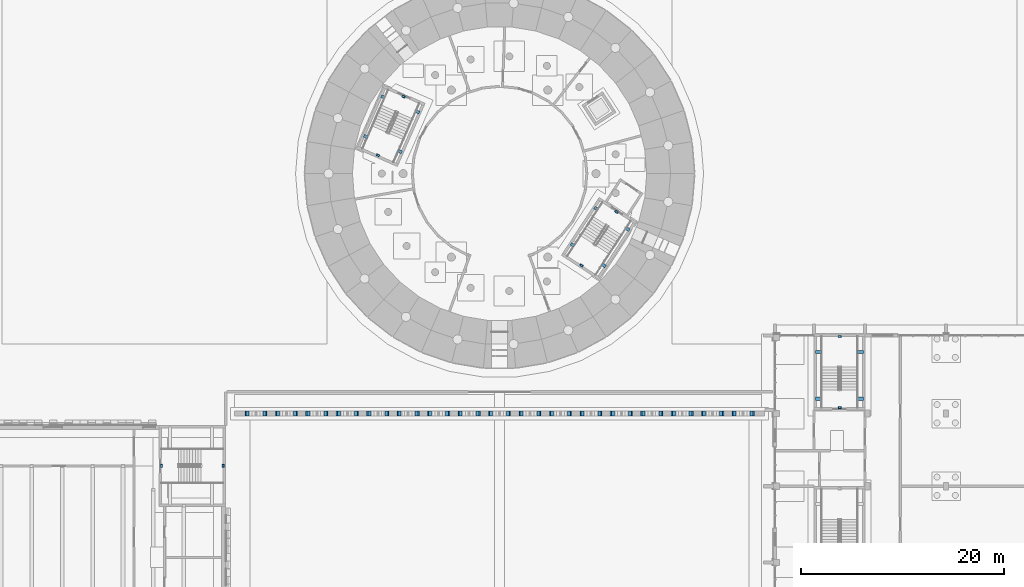
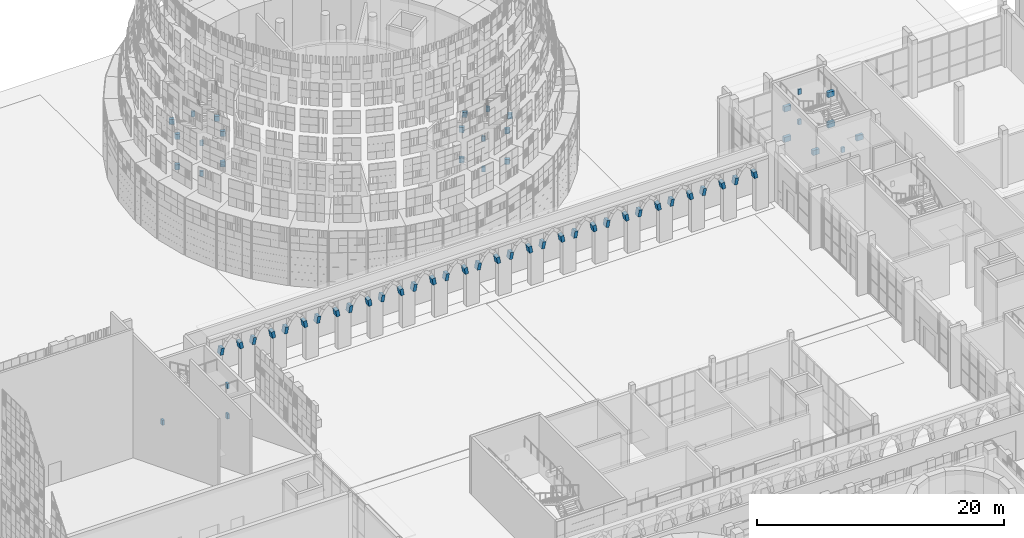
# One storey, part 39 of 125: 34 members, 30 beams.
"""IFC4 building model written with IfcOpenShell, lengths in metres."""

from ifc_helpers import new_model, si_unit, direction, frame, origin, origin_2d, place, context, subcontext, project, spatial, rectangle, extrude, material, material_profile, profile_set, type_object, element, save


model = new_model("IFC4")

# Units and contexts
model_context = context("Model", 3, precision=1e-05, world=origin(), true_north=direction((0.0, 1.0)))
body_context = subcontext(model_context, "Body", "Model", "MODEL_VIEW")
ifc_project = project(units=[si_unit("LENGTHUNIT", "METRE"), si_unit("AREAUNIT", "SQUARE_METRE"), si_unit("VOLUMEUNIT", "CUBIC_METRE"), si_unit("PLANEANGLEUNIT", "RADIAN"), si_unit("MASSUNIT", "GRAM", prefix="KILO")], contexts=[model_context])

# Site, building, storey
site_placement = place(None, origin())
site = spatial("IfcSite", under=ifc_project, at=site_placement, CompositionType="ELEMENT")
building_placement = place(site_placement, origin())
building = spatial("IfcBuilding", under=site, at=building_placement, Name="Sun Court Science Centre", CompositionType="ELEMENT")
storey_placement = place(building_placement, origin())
storey = spatial("IfcBuildingStorey", under=building, at=storey_placement, Name="L00", CompositionType="ELEMENT", Elevation=0.0)

# Members
ifc_material_1 = material(Name="Concrete C30/37", Category="concrete")
ifc_material_profile_1 = material_profile(ifc_material_1, rectangle(XDim=0.5, YDim=0.300048828125, at=origin_2d()), Name="RC 500x300")
ifc_profile_set_1 = profile_set([ifc_material_profile_1], Name="Concrete C30/37")
member_type = type_object("IfcMemberType", Name="Arcade arch rib RC 500x300", PredefinedType="MEMBER", material=ifc_profile_set_1)
for number, where, z_axis, x_axis, name in (
    (1, (26.050048828125, 73.14990234375, 3.22998046875), (0.173510961296, 0.0, 0.984831938104), (0.0, 1.0, 0.0), "Arcade arch rib AR2 bay 01"),
    (2, (27.949951171875, 73.14990234375, 3.22998046875), (-0.173510961296, 0.0, 0.984831938104), (0.0, -1.0, 0.0), "Arcade arch rib AR2 bay 01"),
    (3, (29.050048828125, 73.14990234375, 3.22998046875), (0.173510961296, 0.0, 0.984831938104), (0.0, 1.0, 0.0), "Arcade arch rib AR2 bay 02"),
    (4, (30.949951171875, 73.14990234375, 3.22998046875), (-0.173510961296, 0.0, 0.984831938104), (0.0, -1.0, 0.0), "Arcade arch rib AR2 bay 02"),
    (5, (32.050048828125, 73.14990234375, 3.22998046875), (0.173510961296, 0.0, 0.984831938104), (0.0, 1.0, 0.0), "Arcade arch rib AR2 bay 03"),
    (6, (33.949951171875, 73.14990234375, 3.22998046875), (-0.173510961296, 0.0, 0.984831938104), (0.0, -1.0, 0.0), "Arcade arch rib AR2 bay 03"),
    (7, (35.050048828125, 73.14990234375, 3.22998046875), (0.173510961296, 0.0, 0.984831938104), (0.0, 1.0, 0.0), "Arcade arch rib AR2 bay 04"),
    (8, (36.949951171875, 73.14990234375, 3.22998046875), (-0.173510961296, 0.0, 0.984831938104), (0.0, -1.0, 0.0), "Arcade arch rib AR2 bay 04"),
    (9, (38.050048828125, 73.14990234375, 3.22998046875), (0.173510961296, 0.0, 0.984831938104), (0.0, 1.0, 0.0), "Arcade arch rib AR2 bay 05"),
    (10, (39.949951171875, 73.14990234375, 3.22998046875), (-0.173510961296, 0.0, 0.984831938104), (0.0, -1.0, 0.0), "Arcade arch rib AR2 bay 05"),
    (11, (41.050048828125, 73.14990234375, 3.22998046875), (0.173510961296, 0.0, 0.984831938104), (0.0, 1.0, 0.0), "Arcade arch rib AR2 bay 06"),
    (12, (42.949951171875, 73.14990234375, 3.22998046875), (-0.173510961296, 0.0, 0.984831938104), (0.0, -1.0, 0.0), "Arcade arch rib AR2 bay 06"),
    (13, (44.050048828125, 73.14990234375, 3.22998046875), (0.173510961296, 0.0, 0.984831938104), (0.0, 1.0, 0.0), "Arcade arch rib AR2 bay 07"),
    (14, (45.949951171875, 73.14990234375, 3.22998046875), (-0.173510961296, 0.0, 0.984831938104), (0.0, -1.0, 0.0), "Arcade arch rib AR2 bay 07"),
    (15, (47.050048828125, 73.14990234375, 3.22998046875), (0.173510961296, 0.0, 0.984831938104), (0.0, 1.0, 0.0), "Arcade arch rib AR2 bay 08"),
    (16, (48.949951171875, 73.14990234375, 3.22998046875), (-0.173510961296, 0.0, 0.984831938104), (0.0, -1.0, 0.0), "Arcade arch rib AR2 bay 08"),
    (17, (50.050048828125, 73.14990234375, 3.22998046875), (0.173510961296, 0.0, 0.984831938104), (0.0, 1.0, 0.0), "Arcade arch rib AR2 bay 09"),
    (18, (51.949951171875, 73.14990234375, 3.22998046875), (-0.173510961296, 0.0, 0.984831938104), (0.0, -1.0, 0.0), "Arcade arch rib AR2 bay 09"),
    (19, (53.050048828125, 73.14990234375, 3.22998046875), (0.173510961296, 0.0, 0.984831938104), (0.0, 1.0, 0.0), "Arcade arch rib AR2 bay 10"),
    (20, (54.949951171875, 73.14990234375, 3.22998046875), (-0.173510961296, 0.0, 0.984831938104), (0.0, -1.0, 0.0), "Arcade arch rib AR2 bay 10"),
    (21, (56.050048828125, 73.14990234375, 3.22998046875), (0.173510961296, 0.0, 0.984831938104), (0.0, 1.0, 0.0), "Arcade arch rib AR2 bay 11"),
    (22, (57.949951171875, 73.14990234375, 3.22998046875), (-0.173510961296, 0.0, 0.984831938104), (0.0, -1.0, 0.0), "Arcade arch rib AR2 bay 11"),
    (23, (59.050048828125, 73.14990234375, 3.22998046875), (0.173510961296, 0.0, 0.984831938104), (0.0, 1.0, 0.0), "Arcade arch rib AR2 bay 12"),
    (24, (60.949951171875, 73.14990234375, 3.22998046875), (-0.173510961296, 0.0, 0.984831938104), (0.0, -1.0, 0.0), "Arcade arch rib AR2 bay 12"),
    (25, (62.050048828125, 73.14990234375, 3.22998046875), (0.173510961296, 0.0, 0.984831938104), (0.0, 1.0, 0.0), "Arcade arch rib AR2 bay 13"),
    (26, (63.949951171875, 73.14990234375, 3.22998046875), (-0.173510961296, 0.0, 0.984831938104), (0.0, -1.0, 0.0), "Arcade arch rib AR2 bay 13"),
    (27, (65.050048828125, 73.14990234375, 3.22998046875), (0.173510961296, 0.0, 0.984831938104), (0.0, 1.0, 0.0), "Arcade arch rib AR2 bay 14"),
    (28, (66.949951171875, 73.14990234375, 3.22998046875), (-0.173510961296, 0.0, 0.984831938104), (0.0, -1.0, 0.0), "Arcade arch rib AR2 bay 14"),
    (29, (68.050048828125, 73.14990234375, 3.22998046875), (0.173510961296, 0.0, 0.984831938104), (0.0, 1.0, 0.0), "Arcade arch rib AR2 bay 15"),
    (30, (69.949951171875, 73.14990234375, 3.22998046875), (-0.173510961296, 0.0, 0.984831938104), (0.0, -1.0, 0.0), "Arcade arch rib AR2 bay 15"),
    (31, (71.050048828125, 73.14990234375, 3.22998046875), (0.173510961296, 0.0, 0.984831938104), (0.0, 1.0, 0.0), "Arcade arch rib AR2 bay 16"),
    (32, (72.949951171875, 73.14990234375, 3.22998046875), (-0.173510961296, 0.0, 0.984831938104), (0.0, -1.0, 0.0), "Arcade arch rib AR2 bay 16"),
    (33, (74.050048828125, 73.14990234375, 3.22998046875), (0.173510961296, 0.0, 0.984831938104), (0.0, 1.0, 0.0), "Arcade arch rib AR2 bay 17"),
    (34, (75.949951171875, 73.14990234375, 3.22998046875), (-0.173510961296, 0.0, 0.984831938104), (0.0, -1.0, 0.0), "Arcade arch rib AR2 bay 17"),
):
    element("IfcMember", number, at=place(storey_placement, frame(where, z_axis=z_axis, x_axis=x_axis)), inside=storey, type_object=member_type, Name=name, PredefinedType="MEMBER", context=body_context, shape_type="SweptSolid", body=[
        extrude(rectangle(XDim=0.5, YDim=0.300048828125, at=origin_2d()), origin(), (0.0, 0.0, 1.0), 0.659912109375),
    ])

# Beams
ifc_material_2 = material(Name="Concrete C25/30", Category="concrete")
ifc_material_profile_2 = material_profile(ifc_material_2, rectangle(XDim=0.300048828125, YDim=0.5, at=origin_2d()), Name="RC 300x500")
ifc_profile_set_2 = profile_set([ifc_material_profile_2], Name="Concrete C25/30")
beam_type = type_object("IfcBeamType", Name="RC landing trimmer 300x500", PredefinedType="BEAM", material=ifc_profile_set_2)
for number, where, z_axis, x_axis, name in (
    (35, (86.85009765625, 79.243896484375, 1.050048828125), (-1.0, 0.0, 0.0), (0.0, -1.0, 0.0), "SL4 landing 1 trimmer beam 1"),
    (36, (82.14990234375, 79.243896484375, 1.050048828125), (1.0, 0.0, 0.0), (0.0, 1.0, 0.0), "SL4 landing 1 trimmer beam 2"),
):
    element("IfcBeam", number, at=place(storey_placement, frame(where, z_axis=z_axis, x_axis=x_axis)), inside=storey, type_object=beam_type, Name=name, PredefinedType="BEAM", context=body_context, shape_type="SweptSolid", body=[
        extrude(rectangle(XDim=0.300048828125, YDim=0.5, at=origin_2d()), origin(), (0.0, 0.0, 1.0), 0.6171875),
    ])
beam_1_placement = place(storey_placement, frame((84.5, 80.85009765625, 1.050048828125), z_axis=(0.0, -1.0, 0.0), x_axis=(1.0, 0.0, 0.0)))
element("IfcBeam", 37, at=beam_1_placement, inside=storey, type_object=beam_type, Name="SL4 landing 1 trimmer beam 3", PredefinedType="BEAM", context=body_context, shape_type="SweptSolid", body=[
    extrude(rectangle(XDim=0.300048828125, YDim=0.5, at=origin_2d()), origin(), (0.0, 0.0, 1.0), 0.190185546875),
])
for number, where, z_axis, x_axis, name in (
    (38, (86.85009765625, 74.6240234375, 2.550048828125), (-1.0, 0.0, 0.0), (0.0, -1.0, 0.0), "SL4 landing 2 trimmer beam 4"),
    (39, (82.14990234375, 74.6240234375, 2.550048828125), (1.0, 0.0, 0.0), (0.0, 1.0, 0.0), "SL4 landing 2 trimmer beam 5"),
):
    element("IfcBeam", number, at=place(storey_placement, frame(where, z_axis=z_axis, x_axis=x_axis)), inside=storey, type_object=beam_type, Name=name, PredefinedType="BEAM", context=body_context, shape_type="SweptSolid", body=[
        extrude(rectangle(XDim=0.300048828125, YDim=0.5, at=origin_2d()), origin(), (0.0, 0.0, 1.0), 0.6171875),
    ])
beam_2_placement = place(storey_placement, frame((84.5, 73.64990234375, 2.550048828125), z_axis=(0.0, 1.0, 0.0), x_axis=(-1.0, 0.0, 0.0)))
element("IfcBeam", 40, at=beam_2_placement, inside=storey, type_object=beam_type, Name="SL4 landing 2 trimmer beam 6", PredefinedType="BEAM", context=body_context, shape_type="SweptSolid", body=[
    extrude(rectangle(XDim=0.300048828125, YDim=0.5, at=origin_2d()), origin(), (0.0, 0.0, 1.0), 0.190185546875),
])
for number, where, z_axis, x_axis, name in (
    (41, (86.85009765625, 79.243896484375, 4.050048828125), (-1.0, 0.0, 0.0), (0.0, -1.0, 0.0), "SL4 landing 3 trimmer beam 7"),
    (42, (82.14990234375, 79.243896484375, 4.050048828125), (1.0, 0.0, 0.0), (0.0, 1.0, 0.0), "SL4 landing 3 trimmer beam 8"),
):
    element("IfcBeam", number, at=place(storey_placement, frame(where, z_axis=z_axis, x_axis=x_axis)), inside=storey, type_object=beam_type, Name=name, PredefinedType="BEAM", context=body_context, shape_type="SweptSolid", body=[
        extrude(rectangle(XDim=0.300048828125, YDim=0.5, at=origin_2d()), origin(), (0.0, 0.0, 1.0), 0.6171875),
    ])
for number, where, z_axis, x_axis, name in (
    (43, (84.5, 80.85009765625, 4.050048828125), (0.0, -1.0, 0.0), (1.0, 0.0, 0.0), "SL4 landing 3 trimmer beam 9"),
    (44, (23.85009765625, 68.0, 1.050048828125), (-1.0, 0.0, 0.0), (0.0, -1.0, 0.0), "ST2 landing 1 trimmer beam 3"),
):
    element("IfcBeam", number, at=place(storey_placement, frame(where, z_axis=z_axis, x_axis=x_axis)), inside=storey, type_object=beam_type, Name=name, PredefinedType="BEAM", context=body_context, shape_type="SweptSolid", body=[
        extrude(rectangle(XDim=0.300048828125, YDim=0.5, at=origin_2d()), origin(), (0.0, 0.0, 1.0), 0.190185546875),
    ])
beam_3_placement = place(storey_placement, frame((17.60009765625, 68.0, 2.550048828125), z_axis=(1.0, 0.0, 0.0), x_axis=(0.0, 1.0, 0.0)))
element("IfcBeam", 45, at=beam_3_placement, inside=storey, type_object=beam_type, Name="ST2 landing 2 trimmer beam 6", PredefinedType="BEAM", context=body_context, shape_type="SweptSolid", body=[
    extrude(rectangle(XDim=0.300048828125, YDim=0.5, at=origin_2d()), origin(), (0.0, 0.0, 1.0), 0.18994140625),
])
beam_4_placement = place(storey_placement, frame((23.85009765625, 68.0, 4.050048828125), z_axis=(-1.0, 0.0, 0.0), x_axis=(0.0, -1.0, 0.0)))
element("IfcBeam", 46, at=beam_4_placement, inside=storey, type_object=beam_type, Name="ST2 landing 3 trimmer beam 9", PredefinedType="BEAM", context=body_context, shape_type="SweptSolid", body=[
    extrude(rectangle(XDim=0.300048828125, YDim=0.5, at=origin_2d()), origin(), (0.0, 0.0, 1.0), 0.190185546875),
])
for number, where, z_axis, x_axis, name in (
    (47, (58.015380859375, 89.89453125, 1.050048828125), (0.837237681935, -0.546839157292, 0.0), (0.546839157292, 0.837237681935, 0.0), "PS1 landing 1 trimmer beam 1"),
    (48, (61.44775390625, 87.652099609375, 1.050048828125), (-0.837237681935, 0.546839157292, 0.0), (-0.546839157292, -0.837237681935, 0.0), "PS1 landing 1 trimmer beam 2"),
):
    element("IfcBeam", number, at=place(storey_placement, frame(where, z_axis=z_axis, x_axis=x_axis)), inside=storey, type_object=beam_type, Name=name, PredefinedType="BEAM", context=body_context, shape_type="SweptSolid", body=[
        extrude(rectangle(XDim=0.300048828125, YDim=0.5, at=origin_2d()), origin(), (0.0, 0.0, 1.0), 0.4169921875),
    ])
beam_5_placement = place(storey_placement, frame((59.017333984375, 87.679931640625, 1.050048828125), z_axis=(0.546660080791, 0.837354617871, 0.0), x_axis=(-0.837354617871, 0.546660080791, 0.0)))
element("IfcBeam", 49, at=beam_5_placement, inside=storey, type_object=beam_type, Name="PS1 landing 1 trimmer beam 3", PredefinedType="BEAM", context=body_context, shape_type="SweptSolid", body=[
    extrude(rectangle(XDim=0.300048828125, YDim=0.5, at=origin_2d()), origin(), (0.0, 0.0, 1.0), 0.189697265625),
])
for number, where, z_axis, x_axis, name in (
    (50, (60.350830078125, 93.46923828125, 2.550048828125), (0.837237681935, -0.546839157292, 0.0), (0.546839157292, 0.837237681935, 0.0), "PS1 landing 2 trimmer beam 4"),
    (51, (63.783203125, 91.226806640625, 2.550048828125), (-0.837237681935, 0.546839157292, 0.0), (-0.546839157292, -0.837237681935, 0.0), "PS1 landing 2 trimmer beam 5"),
):
    element("IfcBeam", number, at=place(storey_placement, frame(where, z_axis=z_axis, x_axis=x_axis)), inside=storey, type_object=beam_type, Name=name, PredefinedType="BEAM", context=body_context, shape_type="SweptSolid", body=[
        extrude(rectangle(XDim=0.300048828125, YDim=0.5, at=origin_2d()), origin(), (0.0, 0.0, 1.0), 0.4169921875),
    ])
beam_6_placement = place(storey_placement, frame((62.572509765625, 93.12158203125, 2.550048828125), z_axis=(-0.546972580294, -0.837150521953, 0.0), x_axis=(0.837150521953, -0.546972580294, 0.0)))
element("IfcBeam", 52, at=beam_6_placement, inside=storey, type_object=beam_type, Name="PS1 landing 2 trimmer beam 6", PredefinedType="BEAM", context=body_context, shape_type="SweptSolid", body=[
    extrude(rectangle(XDim=0.300048828125, YDim=0.5, at=origin_2d()), origin(), (0.0, 0.0, 1.0), 0.190185546875),
])
for number, where, z_axis, x_axis, name in (
    (53, (58.015380859375, 89.89453125, 4.050048828125), (0.837237681935, -0.546839157292, 0.0), (0.546839157292, 0.837237681935, 0.0), "PS1 landing 3 trimmer beam 7"),
    (54, (61.44775390625, 87.652099609375, 4.050048828125), (-0.837237681935, 0.546839157292, 0.0), (-0.546839157292, -0.837237681935, 0.0), "PS1 landing 3 trimmer beam 8"),
):
    element("IfcBeam", number, at=place(storey_placement, frame(where, z_axis=z_axis, x_axis=x_axis)), inside=storey, type_object=beam_type, Name=name, PredefinedType="BEAM", context=body_context, shape_type="SweptSolid", body=[
        extrude(rectangle(XDim=0.300048828125, YDim=0.5, at=origin_2d()), origin(), (0.0, 0.0, 1.0), 0.4169921875),
    ])
beam_7_placement = place(storey_placement, frame((59.017333984375, 87.679931640625, 4.050048828125), z_axis=(0.546660080791, 0.837354617871, 0.0), x_axis=(-0.837354617871, 0.546660080791, 0.0)))
element("IfcBeam", 55, at=beam_7_placement, inside=storey, type_object=beam_type, Name="PS1 landing 3 trimmer beam 9", PredefinedType="BEAM", context=body_context, shape_type="SweptSolid", body=[
    extrude(rectangle(XDim=0.300048828125, YDim=0.5, at=origin_2d()), origin(), (0.0, 0.0, 1.0), 0.189697265625),
])
for number, where, z_axis, x_axis, name in (
    (56, (37.627197265625, 100.54296875, 1.050048828125), (0.915780651359, -0.401678725596, 0.0), (0.401678725596, 0.915780651359, 0.0), "PS2 landing 1 trimmer beam 1"),
    (57, (41.3818359375, 98.89599609375, 1.050048828125), (-0.915565180701, 0.402169615819, 0.0), (-0.402169615819, -0.915565180701, 0.0), "PS2 landing 1 trimmer beam 2"),
):
    element("IfcBeam", number, at=place(storey_placement, frame(where, z_axis=z_axis, x_axis=x_axis)), inside=storey, type_object=beam_type, Name=name, PredefinedType="BEAM", context=body_context, shape_type="SweptSolid", body=[
        extrude(rectangle(XDim=0.300048828125, YDim=0.5, at=origin_2d()), origin(), (0.0, 0.0, 1.0), 0.4169921875),
    ])
beam_8_placement = place(storey_placement, frame((38.97998046875, 98.523681640625, 1.050048828125), z_axis=(0.401358633124, 0.915920983282, 0.0), x_axis=(-0.915920983282, 0.401358633124, 0.0)))
element("IfcBeam", 58, at=beam_8_placement, inside=storey, type_object=beam_type, Name="PS2 landing 1 trimmer beam 3", PredefinedType="BEAM", context=body_context, shape_type="SweptSolid", body=[
    extrude(rectangle(XDim=0.300048828125, YDim=0.5, at=origin_2d()), origin(), (0.0, 0.0, 1.0), 0.189697265625),
])
for number, where, z_axis, x_axis, name in (
    (59, (39.342529296875, 104.453369140625, 2.550048828125), (0.915780651359, -0.401678725596, 0.0), (0.401678725596, 0.915780651359, 0.0), "PS2 landing 2 trimmer beam 4"),
    (60, (43.09716796875, 102.806396484375, 2.550048828125), (-0.915780651359, 0.401678725596, 0.0), (-0.401678725596, -0.915780651359, 0.0), "PS2 landing 2 trimmer beam 5"),
):
    element("IfcBeam", number, at=place(storey_placement, frame(where, z_axis=z_axis, x_axis=x_axis)), inside=storey, type_object=beam_type, Name=name, PredefinedType="BEAM", context=body_context, shape_type="SweptSolid", body=[
        extrude(rectangle(XDim=0.300048828125, YDim=0.5, at=origin_2d()), origin(), (0.0, 0.0, 1.0), 0.4169921875),
    ])
beam_9_placement = place(storey_placement, frame((41.591064453125, 104.47607421875, 2.550048828125), z_axis=(-0.40196380082, -0.915655559056, 0.0), x_axis=(0.915655559056, -0.40196380082, 0.0)))
element("IfcBeam", 61, at=beam_9_placement, inside=storey, type_object=beam_type, Name="PS2 landing 2 trimmer beam 6", PredefinedType="BEAM", context=body_context, shape_type="SweptSolid", body=[
    extrude(rectangle(XDim=0.300048828125, YDim=0.5, at=origin_2d()), origin(), (0.0, 0.0, 1.0), 0.190185546875),
])
for number, where, z_axis, x_axis, name in (
    (62, (37.627197265625, 100.54296875, 4.050048828125), (0.915780651359, -0.401678725596, 0.0), (0.401678725596, 0.915780651359, 0.0), "PS2 landing 3 trimmer beam 7"),
    (63, (41.3818359375, 98.89599609375, 4.050048828125), (-0.915565180701, 0.402169615819, 0.0), (-0.402169615819, -0.915565180701, 0.0), "PS2 landing 3 trimmer beam 8"),
):
    element("IfcBeam", number, at=place(storey_placement, frame(where, z_axis=z_axis, x_axis=x_axis)), inside=storey, type_object=beam_type, Name=name, PredefinedType="BEAM", context=body_context, shape_type="SweptSolid", body=[
        extrude(rectangle(XDim=0.300048828125, YDim=0.5, at=origin_2d()), origin(), (0.0, 0.0, 1.0), 0.4169921875),
    ])
beam_10_placement = place(storey_placement, frame((38.97998046875, 98.523681640625, 4.050048828125), z_axis=(0.401358633124, 0.915920983282, 0.0), x_axis=(-0.915920983282, 0.401358633124, 0.0)))
element("IfcBeam", 64, at=beam_10_placement, inside=storey, type_object=beam_type, Name="PS2 landing 3 trimmer beam 9", PredefinedType="BEAM", context=body_context, shape_type="SweptSolid", body=[
    extrude(rectangle(XDim=0.300048828125, YDim=0.5, at=origin_2d()), origin(), (0.0, 0.0, 1.0), 0.189697265625),
])

save(model, "model.ifc")
